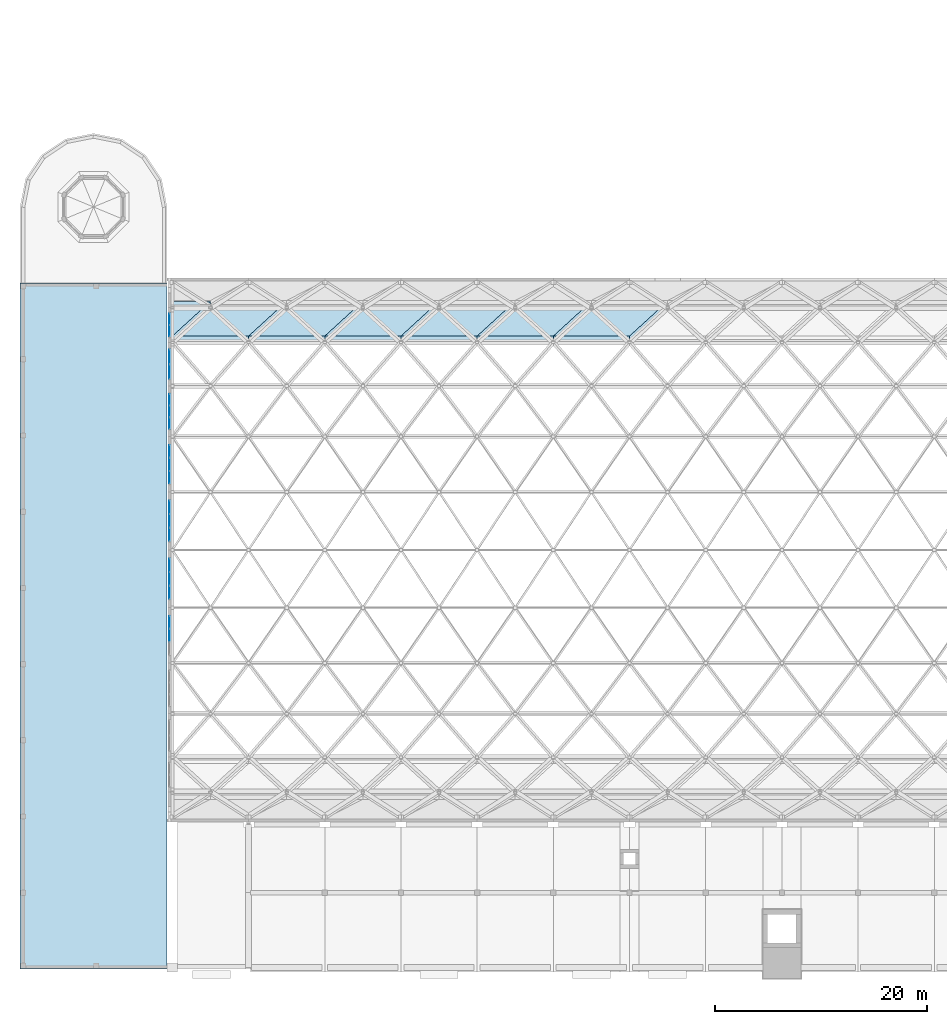
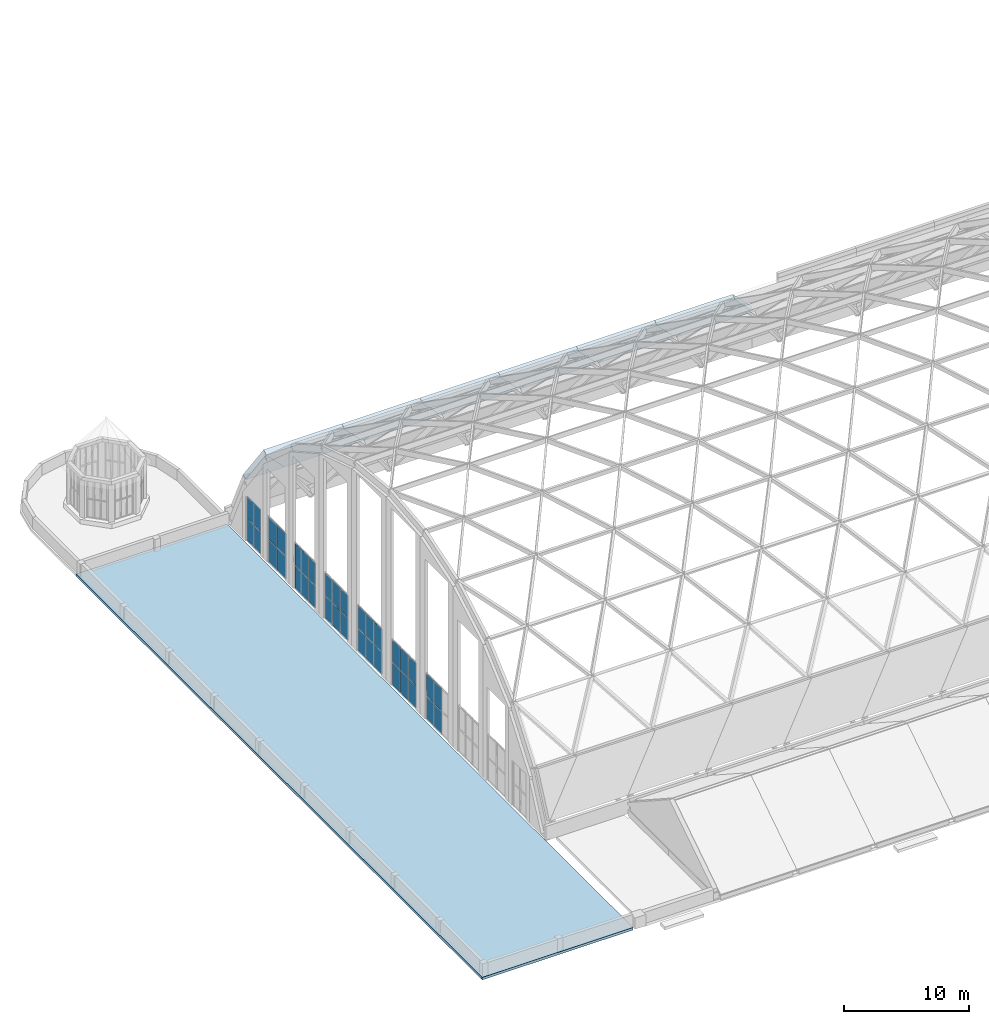
# One storey, part 26 of 52: 36 plates, 8 slabs, 7 elements without a shape of their own.
"""IFC4 building model written with IfcOpenShell, lengths in metres."""

from ifc_helpers import new_model, si_unit, direction, frame, origin, origin_2d, place, context, subcontext, project, spatial, polyline, rectangle, outline, extrude, material, layer, layer_set, type_object, element, aggregate, save


model = new_model("IFC4")

# Units and contexts
model_context = context("Model", 3, precision=1e-05, world=origin(), true_north=direction((0.0, 1.0)))
body_context = subcontext(model_context, "Body", "Model", "MODEL_VIEW")
ifc_project = project(units=[si_unit("LENGTHUNIT", "METRE"), si_unit("AREAUNIT", "SQUARE_METRE"), si_unit("VOLUMEUNIT", "CUBIC_METRE"), si_unit("PLANEANGLEUNIT", "RADIAN"), si_unit("MASSUNIT", "GRAM", prefix="KILO")], contexts=[model_context])

# Site, building, storey
site_placement = place(None, origin())
site = spatial("IfcSite", under=ifc_project, at=site_placement, CompositionType="ELEMENT")
building_placement = place(site_placement, origin())
building = spatial("IfcBuilding", under=site, at=building_placement, Name="Vermilion Court Aquatics Centre", CompositionType="ELEMENT")
storey_placement = place(building_placement, frame((0.0, 0.0, 12.0)))
storey = spatial("IfcBuildingStorey", under=building, at=storey_placement, Name="L02", CompositionType="ELEMENT", Elevation=12.0)

# Curtain wall, plates
ifc_material_1 = material(Name="Aluminium 6063-T5", Category="aluminium")
curtain_wall_type = type_object("IfcCurtainWallType", Name="Envelope curtain wall west gable lower runs", PredefinedType="NOTDEFINED", material=ifc_material_1)
curtain_wall_1_placement = place(storey_placement, origin())
curtain_wall_1 = element("IfcCurtainWall", 1, at=curtain_wall_1_placement, inside=storey, type_object=curtain_wall_type, Name="Gable glazing west 5.1", PredefinedType="NOTDEFINED")
ifc_material_2 = material(Name="Glazing", Category="glass")
ifc_layer_1 = layer(ifc_material_2, 0.050048828125)
ifc_layer_set_1 = layer_set([ifc_layer_1], Name="Envelope triple glazing panel 50")
plate_type = type_object("IfcPlateType", Name="Envelope triple glazing panel 50", PredefinedType="CURTAIN_PANEL", material=ifc_layer_set_1)
plate_1_placement = place(storey_placement, frame((14.125, 31.514892578125, 0.06005859375), z_axis=(0.0, 0.0, 1.0), x_axis=(0.0, 1.0, 0.0)))
plate_1 = element("IfcPlate", 2, at=plate_1_placement, type_object=plate_type, Name="ECW3 panel 2.1", PredefinedType="CURTAIN_PANEL", context=body_context, shape_type="SweptSolid", body=[
    extrude(rectangle(XDim=1.183349609375, YDim=0.050048828125, at=origin_2d()), origin(), (0.0, 0.0, 1.0), 2.159912109375),
])
plate_2_placement = place(storey_placement, frame((14.125, 31.514892578125, 2.2802734375), z_axis=(0.0, 0.0, 1.0), x_axis=(0.0, 1.0, 0.0)))
plate_2 = element("IfcPlate", 3, at=plate_2_placement, type_object=plate_type, Name="ECW3 panel 2.2", PredefinedType="CURTAIN_PANEL", context=body_context, shape_type="SweptSolid", body=[
    extrude(rectangle(XDim=1.183349609375, YDim=0.050048828125, at=origin_2d()), origin(), (0.0, 0.0, 1.0), 2.159912109375),
])
plate_3_placement = place(storey_placement, frame((14.125, 32.743408203125, 0.06005859375), z_axis=(0.0, 0.0, 1.0), x_axis=(0.0, 1.0, 0.0)))
plate_3 = element("IfcPlate", 4, at=plate_3_placement, type_object=plate_type, Name="ECW3 panel 3.1", PredefinedType="CURTAIN_PANEL", context=body_context, shape_type="SweptSolid", body=[
    extrude(rectangle(XDim=1.1533203125, YDim=0.050048828125, at=origin_2d()), origin(), (0.0, 0.0, 1.0), 2.159912109375),
])
plate_4_placement = place(storey_placement, frame((14.125, 32.743408203125, 2.2802734375), z_axis=(0.0, 0.0, 1.0), x_axis=(0.0, 1.0, 0.0)))
plate_4 = element("IfcPlate", 5, at=plate_4_placement, type_object=plate_type, Name="ECW3 panel 3.2", PredefinedType="CURTAIN_PANEL", context=body_context, shape_type="SweptSolid", body=[
    extrude(rectangle(XDim=1.1533203125, YDim=0.050048828125, at=origin_2d()), origin(), (0.0, 0.0, 1.0), 2.159912109375),
])
aggregate(curtain_wall_1, [plate_1, plate_2, plate_3, plate_4])

curtain_wall_2_placement = place(storey_placement, origin())
curtain_wall_2 = element("IfcCurtainWall", 6, at=curtain_wall_2_placement, inside=storey, type_object=curtain_wall_type, Name="Gable glazing west 6.1", PredefinedType="NOTDEFINED")
plate_5_placement = place(storey_placement, frame((14.125, 35.57666015625, 0.06005859375), z_axis=(0.0, 0.0, 1.0), x_axis=(0.0, 1.0, 0.0)))
plate_5 = element("IfcPlate", 7, at=plate_5_placement, type_object=plate_type, Name="ECW3 panel 1.1", PredefinedType="CURTAIN_PANEL", context=body_context, shape_type="SweptSolid", body=[
    extrude(rectangle(XDim=1.21337890625, YDim=0.050048828125, at=origin_2d()), origin(), (0.0, 0.0, 1.0), 2.159912109375),
])
plate_6_placement = place(storey_placement, frame((14.125, 35.57666015625, 2.2802734375), z_axis=(0.0, 0.0, 1.0), x_axis=(0.0, 1.0, 0.0)))
plate_6 = element("IfcPlate", 8, at=plate_6_placement, type_object=plate_type, Name="ECW3 panel 1.2", PredefinedType="CURTAIN_PANEL", context=body_context, shape_type="SweptSolid", body=[
    extrude(rectangle(XDim=1.21337890625, YDim=0.050048828125, at=origin_2d()), origin(), (0.0, 0.0, 1.0), 2.159912109375),
])
plate_7_placement = place(storey_placement, frame((14.125, 36.864990234375, 0.06005859375), z_axis=(0.0, 0.0, 1.0), x_axis=(0.0, 1.0, 0.0)))
plate_7 = element("IfcPlate", 9, at=plate_7_placement, type_object=plate_type, Name="ECW3 panel 2.1", PredefinedType="CURTAIN_PANEL", context=body_context, shape_type="SweptSolid", body=[
    extrude(rectangle(XDim=1.243408203125, YDim=0.050048828125, at=origin_2d()), origin(), (0.0, 0.0, 1.0), 2.159912109375),
])
plate_8_placement = place(storey_placement, frame((14.125, 36.864990234375, 2.2802734375), z_axis=(0.0, 0.0, 1.0), x_axis=(0.0, 1.0, 0.0)))
plate_8 = element("IfcPlate", 10, at=plate_8_placement, type_object=plate_type, Name="ECW3 panel 2.2", PredefinedType="CURTAIN_PANEL", context=body_context, shape_type="SweptSolid", body=[
    extrude(rectangle(XDim=1.243408203125, YDim=0.050048828125, at=origin_2d()), origin(), (0.0, 0.0, 1.0), 2.159912109375),
])
plate_9_placement = place(storey_placement, frame((14.125, 38.1533203125, 0.06005859375), z_axis=(0.0, 0.0, 1.0), x_axis=(0.0, 1.0, 0.0)))
plate_9 = element("IfcPlate", 11, at=plate_9_placement, type_object=plate_type, Name="ECW3 panel 3.1", PredefinedType="CURTAIN_PANEL", context=body_context, shape_type="SweptSolid", body=[
    extrude(rectangle(XDim=1.21337890625, YDim=0.050048828125, at=origin_2d()), origin(), (0.0, 0.0, 1.0), 2.159912109375),
])
plate_10_placement = place(storey_placement, frame((14.125, 38.1533203125, 2.2802734375), z_axis=(0.0, 0.0, 1.0), x_axis=(0.0, 1.0, 0.0)))
plate_10 = element("IfcPlate", 12, at=plate_10_placement, type_object=plate_type, Name="ECW3 panel 3.2", PredefinedType="CURTAIN_PANEL", context=body_context, shape_type="SweptSolid", body=[
    extrude(rectangle(XDim=1.21337890625, YDim=0.050048828125, at=origin_2d()), origin(), (0.0, 0.0, 1.0), 2.159912109375),
])
aggregate(curtain_wall_2, [plate_5, plate_6, plate_7, plate_8, plate_9, plate_10])

curtain_wall_3_placement = place(storey_placement, origin())
curtain_wall_3 = element("IfcCurtainWall", 13, at=curtain_wall_3_placement, inside=storey, type_object=curtain_wall_type, Name="Gable glazing west 7.1", PredefinedType="NOTDEFINED")
plate_11_placement = place(storey_placement, frame((14.125, 41.046630859375, 0.06005859375), z_axis=(0.0, 0.0, 1.0), x_axis=(0.0, 1.0, 0.0)))
plate_11 = element("IfcPlate", 14, at=plate_11_placement, type_object=plate_type, Name="ECW3 panel 1.1", PredefinedType="CURTAIN_PANEL", context=body_context, shape_type="SweptSolid", body=[
    extrude(rectangle(XDim=1.21337890625, YDim=0.050048828125, at=origin_2d()), origin(), (0.0, 0.0, 1.0), 2.159912109375),
])
plate_12_placement = place(storey_placement, frame((14.125, 41.046630859375, 2.2802734375), z_axis=(0.0, 0.0, 1.0), x_axis=(0.0, 1.0, 0.0)))
plate_12 = element("IfcPlate", 15, at=plate_12_placement, type_object=plate_type, Name="ECW3 panel 1.2", PredefinedType="CURTAIN_PANEL", context=body_context, shape_type="SweptSolid", body=[
    extrude(rectangle(XDim=1.21337890625, YDim=0.050048828125, at=origin_2d()), origin(), (0.0, 0.0, 1.0), 2.159912109375),
])
plate_13_placement = place(storey_placement, frame((14.125, 42.3349609375, 0.06005859375), z_axis=(0.0, 0.0, 1.0), x_axis=(0.0, 1.0, 0.0)))
plate_13 = element("IfcPlate", 16, at=plate_13_placement, type_object=plate_type, Name="ECW3 panel 2.1", PredefinedType="CURTAIN_PANEL", context=body_context, shape_type="SweptSolid", body=[
    extrude(rectangle(XDim=1.243408203125, YDim=0.050048828125, at=origin_2d()), origin(), (0.0, 0.0, 1.0), 2.159912109375),
])
plate_14_placement = place(storey_placement, frame((14.125, 42.3349609375, 2.2802734375), z_axis=(0.0, 0.0, 1.0), x_axis=(0.0, 1.0, 0.0)))
plate_14 = element("IfcPlate", 17, at=plate_14_placement, type_object=plate_type, Name="ECW3 panel 2.2", PredefinedType="CURTAIN_PANEL", context=body_context, shape_type="SweptSolid", body=[
    extrude(rectangle(XDim=1.243408203125, YDim=0.050048828125, at=origin_2d()), origin(), (0.0, 0.0, 1.0), 2.159912109375),
])
plate_15_placement = place(storey_placement, frame((14.125, 43.623291015625, 0.06005859375), z_axis=(0.0, 0.0, 1.0), x_axis=(0.0, 1.0, 0.0)))
plate_15 = element("IfcPlate", 18, at=plate_15_placement, type_object=plate_type, Name="ECW3 panel 3.1", PredefinedType="CURTAIN_PANEL", context=body_context, shape_type="SweptSolid", body=[
    extrude(rectangle(XDim=1.21337890625, YDim=0.050048828125, at=origin_2d()), origin(), (0.0, 0.0, 1.0), 2.159912109375),
])
plate_16_placement = place(storey_placement, frame((14.125, 43.623291015625, 2.2802734375), z_axis=(0.0, 0.0, 1.0), x_axis=(0.0, 1.0, 0.0)))
plate_16 = element("IfcPlate", 19, at=plate_16_placement, type_object=plate_type, Name="ECW3 panel 3.2", PredefinedType="CURTAIN_PANEL", context=body_context, shape_type="SweptSolid", body=[
    extrude(rectangle(XDim=1.21337890625, YDim=0.050048828125, at=origin_2d()), origin(), (0.0, 0.0, 1.0), 2.159912109375),
])
aggregate(curtain_wall_3, [plate_11, plate_12, plate_13, plate_14, plate_15, plate_16])

curtain_wall_4_placement = place(storey_placement, origin())
curtain_wall_4 = element("IfcCurtainWall", 20, at=curtain_wall_4_placement, inside=storey, type_object=curtain_wall_type, Name="Gable glazing west 8.1", PredefinedType="NOTDEFINED")
plate_17_placement = place(storey_placement, frame((14.125, 46.456787109375, 0.06005859375), z_axis=(0.0, 0.0, 1.0), x_axis=(0.0, 1.0, 0.0)))
plate_17 = element("IfcPlate", 21, at=plate_17_placement, type_object=plate_type, Name="ECW3 panel 1.1", PredefinedType="CURTAIN_PANEL", context=body_context, shape_type="SweptSolid", body=[
    extrude(rectangle(XDim=1.1533203125, YDim=0.050048828125, at=origin_2d()), origin(), (0.0, 0.0, 1.0), 2.159912109375),
])
plate_18_placement = place(storey_placement, frame((14.125, 46.456787109375, 2.2802734375), z_axis=(0.0, 0.0, 1.0), x_axis=(0.0, 1.0, 0.0)))
plate_18 = element("IfcPlate", 22, at=plate_18_placement, type_object=plate_type, Name="ECW3 panel 1.2", PredefinedType="CURTAIN_PANEL", context=body_context, shape_type="SweptSolid", body=[
    extrude(rectangle(XDim=1.1533203125, YDim=0.050048828125, at=origin_2d()), origin(), (0.0, 0.0, 1.0), 2.159912109375),
])
plate_19_placement = place(storey_placement, frame((14.125, 47.68505859375, 0.06005859375), z_axis=(0.0, 0.0, 1.0), x_axis=(0.0, 1.0, 0.0)))
plate_19 = element("IfcPlate", 23, at=plate_19_placement, type_object=plate_type, Name="ECW3 panel 2.1", PredefinedType="CURTAIN_PANEL", context=body_context, shape_type="SweptSolid", body=[
    extrude(rectangle(XDim=1.183349609375, YDim=0.050048828125, at=origin_2d()), origin(), (0.0, 0.0, 1.0), 2.159912109375),
])
plate_20_placement = place(storey_placement, frame((14.125, 47.68505859375, 2.2802734375), z_axis=(0.0, 0.0, 1.0), x_axis=(0.0, 1.0, 0.0)))
plate_20 = element("IfcPlate", 24, at=plate_20_placement, type_object=plate_type, Name="ECW3 panel 2.2", PredefinedType="CURTAIN_PANEL", context=body_context, shape_type="SweptSolid", body=[
    extrude(rectangle(XDim=1.183349609375, YDim=0.050048828125, at=origin_2d()), origin(), (0.0, 0.0, 1.0), 2.159912109375),
])
plate_21_placement = place(storey_placement, frame((14.125, 48.913330078125, 0.06005859375), z_axis=(0.0, 0.0, 1.0), x_axis=(0.0, 1.0, 0.0)))
plate_21 = element("IfcPlate", 25, at=plate_21_placement, type_object=plate_type, Name="ECW3 panel 3.1", PredefinedType="CURTAIN_PANEL", context=body_context, shape_type="SweptSolid", body=[
    extrude(rectangle(XDim=1.1533203125, YDim=0.050048828125, at=origin_2d()), origin(), (0.0, 0.0, 1.0), 2.159912109375),
])
plate_22_placement = place(storey_placement, frame((14.125, 48.913330078125, 2.2802734375), z_axis=(0.0, 0.0, 1.0), x_axis=(0.0, 1.0, 0.0)))
plate_22 = element("IfcPlate", 26, at=plate_22_placement, type_object=plate_type, Name="ECW3 panel 3.2", PredefinedType="CURTAIN_PANEL", context=body_context, shape_type="SweptSolid", body=[
    extrude(rectangle(XDim=1.1533203125, YDim=0.050048828125, at=origin_2d()), origin(), (0.0, 0.0, 1.0), 2.159912109375),
])
aggregate(curtain_wall_4, [plate_17, plate_18, plate_19, plate_20, plate_21, plate_22])

curtain_wall_5_placement = place(storey_placement, origin())
curtain_wall_5 = element("IfcCurtainWall", 27, at=curtain_wall_5_placement, inside=storey, type_object=curtain_wall_type, Name="Gable glazing west 9.1", PredefinedType="NOTDEFINED")
plate_23_placement = place(storey_placement, frame((14.125, 51.578369140625, 0.06005859375), z_axis=(0.0, 0.0, 1.0), x_axis=(0.0, 1.0, 0.0)))
plate_23 = element("IfcPlate", 28, at=plate_23_placement, type_object=plate_type, Name="ECW3 panel 1.1", PredefinedType="CURTAIN_PANEL", context=body_context, shape_type="SweptSolid", body=[
    extrude(rectangle(XDim=1.03662109375, YDim=0.050048828125, at=origin_2d()), origin(), (0.0, 0.0, 1.0), 2.159912109375),
])
plate_24_placement = place(storey_placement, frame((14.125, 51.578369140625, 2.2802734375), z_axis=(0.0, 0.0, 1.0), x_axis=(0.0, 1.0, 0.0)))
plate_24 = element("IfcPlate", 29, at=plate_24_placement, type_object=plate_type, Name="ECW3 panel 1.2", PredefinedType="CURTAIN_PANEL", context=body_context, shape_type="SweptSolid", body=[
    extrude(rectangle(XDim=1.03662109375, YDim=0.050048828125, at=origin_2d()), origin(), (0.0, 0.0, 1.0), 2.159912109375),
])
plate_25_placement = place(storey_placement, frame((14.125, 52.68994140625, 0.06005859375), z_axis=(0.0, 0.0, 1.0), x_axis=(0.0, 1.0, 0.0)))
plate_25 = element("IfcPlate", 30, at=plate_25_placement, type_object=plate_type, Name="ECW3 panel 2.1", PredefinedType="CURTAIN_PANEL", context=body_context, shape_type="SweptSolid", body=[
    extrude(rectangle(XDim=1.066650390625, YDim=0.050048828125, at=origin_2d()), origin(), (0.0, 0.0, 1.0), 2.159912109375),
])
plate_26_placement = place(storey_placement, frame((14.125, 52.68994140625, 2.2802734375), z_axis=(0.0, 0.0, 1.0), x_axis=(0.0, 1.0, 0.0)))
plate_26 = element("IfcPlate", 31, at=plate_26_placement, type_object=plate_type, Name="ECW3 panel 2.2", PredefinedType="CURTAIN_PANEL", context=body_context, shape_type="SweptSolid", body=[
    extrude(rectangle(XDim=1.066650390625, YDim=0.050048828125, at=origin_2d()), origin(), (0.0, 0.0, 1.0), 2.159912109375),
])
plate_27_placement = place(storey_placement, frame((14.125, 53.8017578125, 0.06005859375), z_axis=(0.0, 0.0, 1.0), x_axis=(0.0, 1.0, 0.0)))
plate_27 = element("IfcPlate", 32, at=plate_27_placement, type_object=plate_type, Name="ECW3 panel 3.1", PredefinedType="CURTAIN_PANEL", context=body_context, shape_type="SweptSolid", body=[
    extrude(rectangle(XDim=1.03662109375, YDim=0.050048828125, at=origin_2d()), origin(), (0.0, 0.0, 1.0), 2.159912109375),
])
plate_28_placement = place(storey_placement, frame((14.125, 53.8017578125, 2.2802734375), z_axis=(0.0, 0.0, 1.0), x_axis=(0.0, 1.0, 0.0)))
plate_28 = element("IfcPlate", 33, at=plate_28_placement, type_object=plate_type, Name="ECW3 panel 3.2", PredefinedType="CURTAIN_PANEL", context=body_context, shape_type="SweptSolid", body=[
    extrude(rectangle(XDim=1.03662109375, YDim=0.050048828125, at=origin_2d()), origin(), (0.0, 0.0, 1.0), 2.159912109375),
])
aggregate(curtain_wall_5, [plate_23, plate_24, plate_25, plate_26, plate_27, plate_28])

curtain_wall_6_placement = place(storey_placement, origin())
curtain_wall_6 = element("IfcCurtainWall", 34, at=curtain_wall_6_placement, inside=storey, type_object=curtain_wall_type, Name="Gable glazing west 10.1", PredefinedType="NOTDEFINED")
plate_29_placement = place(storey_placement, frame((14.125, 56.43505859375, 0.06005859375), z_axis=(0.0, 0.0, 1.0), x_axis=(0.0, 1.0, 0.0)))
plate_29 = element("IfcPlate", 35, at=plate_29_placement, type_object=plate_type, Name="ECW3 panel 1.1", PredefinedType="CURTAIN_PANEL", context=body_context, shape_type="SweptSolid", body=[
    extrude(rectangle(XDim=1.35009765625, YDim=0.050048828125, at=origin_2d()), origin(), (0.0, 0.0, 1.0), 2.159912109375),
])
plate_30_placement = place(storey_placement, frame((14.125, 56.43505859375, 2.2802734375), z_axis=(0.0, 0.0, 1.0), x_axis=(0.0, 1.0, 0.0)))
plate_30 = element("IfcPlate", 36, at=plate_30_placement, type_object=plate_type, Name="ECW3 panel 1.2", PredefinedType="CURTAIN_PANEL", context=body_context, shape_type="SweptSolid", body=[
    extrude(rectangle(XDim=1.35009765625, YDim=0.050048828125, at=origin_2d()), origin(), (0.0, 0.0, 1.0), 2.159912109375),
])
plate_31_placement = place(storey_placement, frame((14.125, 57.844970703125, 0.06005859375), z_axis=(0.0, 0.0, 1.0), x_axis=(0.0, 1.0, 0.0)))
plate_31 = element("IfcPlate", 37, at=plate_31_placement, type_object=plate_type, Name="ECW3 panel 2.1", PredefinedType="CURTAIN_PANEL", context=body_context, shape_type="SweptSolid", body=[
    extrude(rectangle(XDim=1.35009765625, YDim=0.050048828125, at=origin_2d()), origin(), (0.0, 0.0, 1.0), 2.159912109375),
])
plate_32_placement = place(storey_placement, frame((14.125, 57.844970703125, 2.2802734375), z_axis=(0.0, 0.0, 1.0), x_axis=(0.0, 1.0, 0.0)))
plate_32 = element("IfcPlate", 38, at=plate_32_placement, type_object=plate_type, Name="ECW3 panel 2.2", PredefinedType="CURTAIN_PANEL", context=body_context, shape_type="SweptSolid", body=[
    extrude(rectangle(XDim=1.35009765625, YDim=0.050048828125, at=origin_2d()), origin(), (0.0, 0.0, 1.0), 2.159912109375),
])
aggregate(curtain_wall_6, [plate_29, plate_30, plate_31, plate_32])

curtain_wall_7_placement = place(storey_placement, origin())
curtain_wall_7 = element("IfcCurtainWall", 39, at=curtain_wall_7_placement, inside=storey, type_object=curtain_wall_type, Name="Gable glazing west 11.1", PredefinedType="NOTDEFINED")
plate_33_placement = place(storey_placement, frame((14.125, 60.29248046875, 0.06005859375), z_axis=(0.0, 0.0, 1.0), x_axis=(0.0, 1.0, 0.0)))
plate_33 = element("IfcPlate", 40, at=plate_33_placement, type_object=plate_type, Name="ECW3 panel 1.1", PredefinedType="CURTAIN_PANEL", context=body_context, shape_type="SweptSolid", body=[
    extrude(rectangle(XDim=1.044921875, YDim=0.050048828125, at=origin_2d()), origin(), (0.0, 0.0, 1.0), 2.128173828125),
])
plate_34_placement = place(storey_placement, frame((14.125, 60.29248046875, 2.248046875), z_axis=(0.0, 0.0, 1.0), x_axis=(0.0, 1.0, 0.0)))
plate_34 = element("IfcPlate", 41, at=plate_34_placement, type_object=plate_type, Name="ECW3 panel 1.2", PredefinedType="CURTAIN_PANEL", context=body_context, shape_type="SweptSolid", body=[
    extrude(rectangle(XDim=1.044921875, YDim=0.050048828125, at=origin_2d()), origin(), (0.0, 0.0, 1.0), 2.128173828125),
])
plate_35_placement = place(storey_placement, frame((14.125, 61.3974609375, 0.06005859375), z_axis=(0.0, 0.0, 1.0), x_axis=(0.0, 1.0, 0.0)))
plate_35 = element("IfcPlate", 42, at=plate_35_placement, type_object=plate_type, Name="ECW3 panel 2.1", PredefinedType="CURTAIN_PANEL", context=body_context, shape_type="SweptSolid", body=[
    extrude(rectangle(XDim=1.044921875, YDim=0.050048828125, at=origin_2d()), origin(), (0.0, 0.0, 1.0), 2.128173828125),
])
plate_36_placement = place(storey_placement, frame((14.125, 61.3974609375, 2.248046875), z_axis=(0.0, 0.0, 1.0), x_axis=(0.0, 1.0, 0.0)))
plate_36 = element("IfcPlate", 43, at=plate_36_placement, type_object=plate_type, Name="ECW3 panel 2.2", PredefinedType="CURTAIN_PANEL", context=body_context, shape_type="SweptSolid", body=[
    extrude(rectangle(XDim=1.044921875, YDim=0.050048828125, at=origin_2d()), origin(), (0.0, 0.0, 1.0), 2.128173828125),
])
aggregate(curtain_wall_7, [plate_33, plate_34, plate_35, plate_36])

# Slabs
ifc_material_3 = material(Name="Concrete 5000 psi", Category="concrete")
ifc_layer_2 = layer(ifc_material_3, 0.25)
ifc_layer_set_2 = layer_set([ifc_layer_2], Name="Foyer roof slab 250")
slab_type_1 = type_object("IfcSlabType", Name="Foyer roof slab 250", PredefinedType="ROOF", material=ifc_layer_set_2)
slab_1_placement = place(storey_placement, frame((0.0, 0.0, -0.25)))
element("IfcSlab", 44, at=slab_1_placement, inside=storey, type_object=slab_type_1, Name="Foyer roof slab", PredefinedType="ROOF", context=body_context, shape_type="SweptSolid", body=[
    extrude(outline(polyline([(0.0, 0.0), (13.89990234375, 0.0), (13.89990234375, 64.800048828125), (0.0, 64.800048828125), (0.0, 0.0)])), origin(), (0.0, 0.0, 1.0), 0.25),
])
ifc_material_4 = material(Name="Zinc standing seam sheet", Category="metal")
ifc_layer_3 = layer(ifc_material_4, 0.5)
ifc_layer_set_3 = layer_set([ifc_layer_3], Name="Roof insulated cover panel")
slab_type_2 = type_object("IfcSlabType", Name="Roof insulated cover panel", PredefinedType="ROOF", material=ifc_layer_set_3)
slab_2_placement = place(storey_placement, frame((14.39990234375, 59.80029296875, 10.099365234375), z_axis=(0.0, 0.801705287013, 0.597719526848), x_axis=(0.547368617712, 0.500226467671, -0.670940442502)))
element("IfcSlab", 45, at=slab_2_placement, inside=storey, type_object=slab_type_2, Name="Roof panel RP-10-00", PredefinedType="ROOF", context=body_context, shape_type="SweptSolid", body=[
    extrude(outline(polyline([(0.0, 0.0), (6.577099124352591, 2.220446049250313e-16), (4.606518646623738, 3.0128915870523247), (0.0, 0.0)])), origin(), (0.0, 0.0, -1.0), 0.5),
])
slab_3_placement = place(storey_placement, frame((14.39990234375, 59.80029296875, 10.099365234375), z_axis=(0.0, 0.801705287013, 0.597719526848), x_axis=(1.0, 0.0, 0.0)))
element("IfcSlab", 46, at=slab_3_placement, inside=storey, type_object=slab_type_2, Name="Roof panel RP-10-01", PredefinedType="ROOF", context=body_context, shape_type="SweptSolid", body=[
    extrude(outline(polyline([(0.0, 0.0), (7.2001953125, 0.0), (10.800048828125, 5.504319191055588), (3.60009765625, 5.504319191055588), (0.0, 0.0)])), origin(), (0.0, 0.0, -1.0), 0.5),
])
slab_4_placement = place(storey_placement, frame((21.60009765625, 59.80029296875, 10.099365234375), z_axis=(0.0, 0.801705287013, 0.597719526848), x_axis=(1.0, 0.0, 0.0)))
element("IfcSlab", 47, at=slab_4_placement, inside=storey, type_object=slab_type_2, Name="Roof panel RP-10-02", PredefinedType="ROOF", context=body_context, shape_type="SweptSolid", body=[
    extrude(outline(polyline([(0.0, 0.0), (7.199951171875, 0.0), (10.7998046875, 5.50431919105559), (3.599853515625, 5.50431919105559), (0.0, 0.0)])), origin(), (0.0, 0.0, -1.0), 0.5),
])
slab_5_placement = place(storey_placement, frame((28.800048828125, 59.80029296875, 10.099365234375), z_axis=(0.0, 0.801705287013, 0.597719526848), x_axis=(1.0, 0.0, 0.0)))
element("IfcSlab", 48, at=slab_5_placement, inside=storey, type_object=slab_type_2, Name="Roof panel RP-10-03", PredefinedType="ROOF", context=body_context, shape_type="SweptSolid", body=[
    extrude(outline(polyline([(0.0, 0.0), (7.199951171875, 0.0), (10.800048828125, 5.504319191055588), (3.599853515625, 5.504319191055588), (0.0, 0.0)])), origin(), (0.0, 0.0, -1.0), 0.5),
])
for number, where, z_axis, x_axis, name in (
    (49, (36.0, 59.80029296875, 10.099365234375), (0.0, 0.801705287013, 0.597719526848), (1.0, 0.0, 0.0), "Roof panel RP-10-04"),
    (50, (43.199951171875, 59.80029296875, 10.099365234375), (0.0, 0.801705287013, 0.597719526848), (1.0, 0.0, 0.0), "Roof panel RP-10-05"),
):
    element("IfcSlab", number, at=place(storey_placement, frame(where, z_axis=z_axis, x_axis=x_axis)), inside=storey, type_object=slab_type_2, Name=name, PredefinedType="ROOF", context=body_context, shape_type="SweptSolid", body=[
        extrude(outline(polyline([(0.0, 0.0), (7.199951171875, 0.0), (10.800048828125, 5.50431919105559), (3.60009765625, 5.50431919105559), (0.0, 0.0)])), origin(), (0.0, 0.0, -1.0), 0.5),
    ])
slab_6_placement = place(storey_placement, frame((50.39990234375, 59.80029296875, 10.099365234375), z_axis=(0.0, 0.801705287013, 0.597719526848), x_axis=(1.0, 0.0, 0.0)))
element("IfcSlab", 51, at=slab_6_placement, inside=storey, type_object=slab_type_2, Name="Roof panel RP-10-06", PredefinedType="ROOF", context=body_context, shape_type="SweptSolid", body=[
    extrude(outline(polyline([(0.0, 0.0), (7.2001953125, 0.0), (10.800048828125, 5.504319191055588), (3.60009765625, 5.504319191055588), (0.0, 0.0)])), origin(), (0.0, 0.0, -1.0), 0.5),
])

save(model, "model.ifc")
